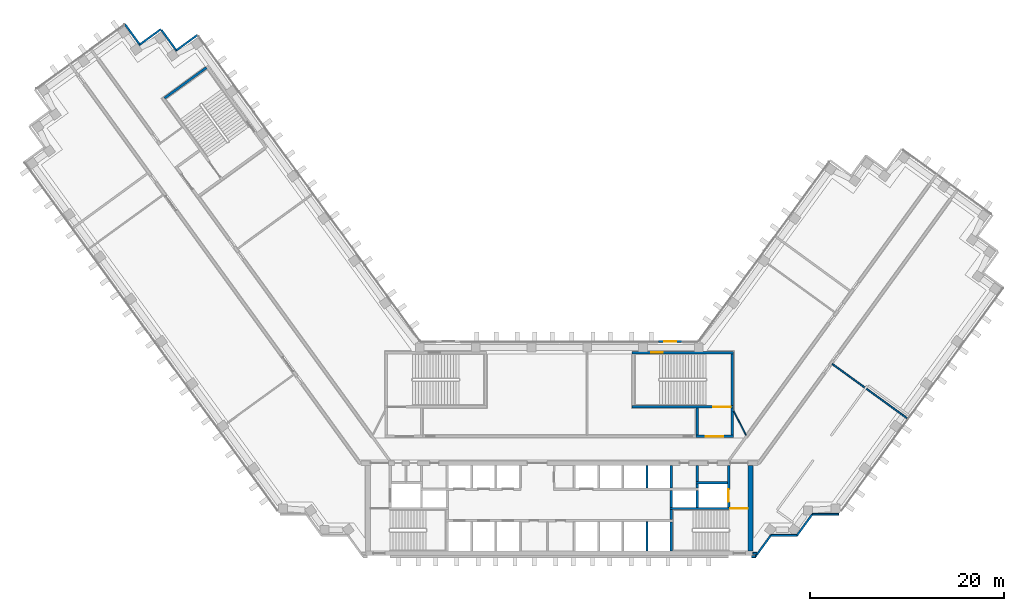
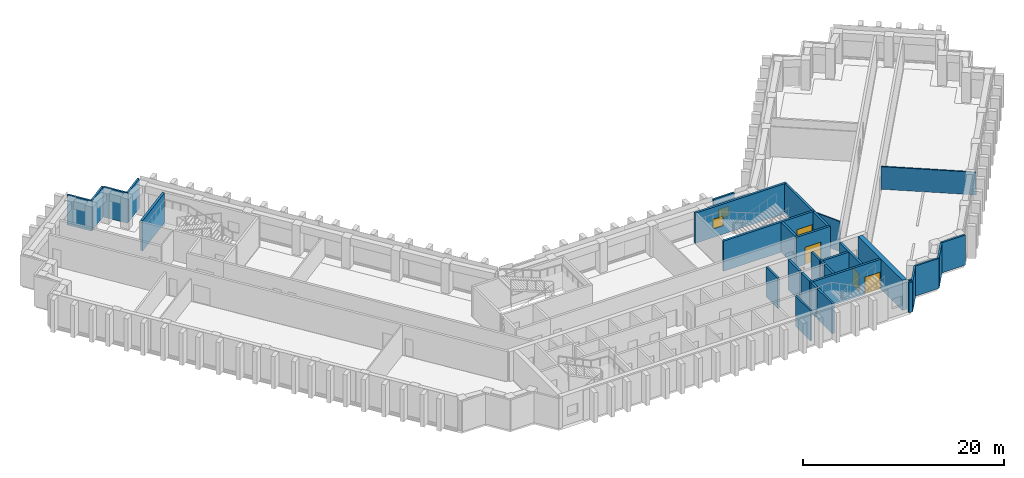
# One storey, part 8 of 12: 33 walls, 4 doors, 2 windows, 6 openings.
"""IFC4 building model written with IfcOpenShell, lengths in metres."""

from ifc_helpers import new_model, si_unit, direction, frame, frame_2d, origin, place, context, subcontext, project, spatial, rectangle, extrude, material, layer, layer_set, type_object, element, fill, save


model = new_model("IFC4")

# Units and contexts
model_context = context("Model", 3, precision=1e-05, world=origin(), true_north=direction((0.0, 1.0)))
body_context = subcontext(model_context, "Body", "Model", "MODEL_VIEW")
ifc_project = project(units=[si_unit("LENGTHUNIT", "METRE"), si_unit("AREAUNIT", "SQUARE_METRE"), si_unit("VOLUMEUNIT", "CUBIC_METRE"), si_unit("PLANEANGLEUNIT", "RADIAN"), si_unit("MASSUNIT", "GRAM", prefix="KILO")], contexts=[model_context])

# Site, building, storey
site_placement = place(None, origin())
site = spatial("IfcSite", under=ifc_project, at=site_placement, CompositionType="ELEMENT")
building_placement = place(site_placement, origin())
building = spatial("IfcBuilding", under=site, at=building_placement, Name="Quipu Civic Tower", CompositionType="ELEMENT")
storey_placement = place(building_placement, frame((0.0, 0.0, 109.0)))
storey = spatial("IfcBuildingStorey", under=building, at=storey_placement, Name="L25", CompositionType="ELEMENT", Elevation=109.0)

# Walls
ifc_material_1 = material(Name="Double gypsum plasterboard with mineral wool")
ifc_layer_1 = layer(ifc_material_1, 0.14990234375)
ifc_layer_set_1 = layer_set([ifc_layer_1], Name="Double gypsum plasterboard with mineral wool")
wall_type_1 = type_object("IfcWallType", Name="Acoustic partition 150 plasterboard", PredefinedType="PARTITIONING", material=ifc_layer_set_1)
wall_1_placement = place(storey_placement, frame((35.908935546875, 3.1826171875, 0.0), z_axis=(0.0, 0.0, 1.0), x_axis=(-0.809045492695, 0.587746025721, 0.0)))
element("IfcWall", 1, at=wall_1_placement, inside=storey, type_object=wall_type_1, Name="Partition P02", PredefinedType="PARTITIONING", context=body_context, shape_type="SweptSolid", body=[
    extrude(rectangle(XDim=9.550537109375, YDim=0.14990234375, at=frame_2d((4.775390625, 0.0))), origin(), (0.0, 0.0, 1.0), 2.75),
])
ifc_material_2 = material(Name="Concrete C70/85", Category="concrete")
ifc_layer_2 = layer(ifc_material_2, 0.25)
ifc_layer_set_2 = layer_set([ifc_layer_2], Name="Concrete C70/85")
wall_type_2 = type_object("IfcWallType", Name="Core wall 250", PredefinedType="SHEAR", material=ifc_layer_set_2)
wall_2_placement = place(storey_placement, frame((11.574951171875, -10.5, 0.0), z_axis=(0.0, 0.0, 1.0), x_axis=(0.0, 1.0, 0.0)))
element("IfcWall", 2, at=wall_2_placement, inside=storey, type_object=wall_type_2, Name="Core wall", PredefinedType="SHEAR", context=body_context, shape_type="SweptSolid", body=[
    extrude(rectangle(XDim=3.0, YDim=0.25, at=frame_2d((1.5, 0.0))), origin(), (0.0, 0.0, 1.0), 3.64990234375),
])
wall_3_placement = place(storey_placement, frame((11.574951171875, -7.25, 0.0), z_axis=(0.0, 0.0, 1.0), x_axis=(0.0, 1.0, 0.0)))
element("IfcWall", 3, at=wall_3_placement, inside=storey, type_object=wall_type_2, Name="Core wall", PredefinedType="SHEAR", context=body_context, shape_type="SweptSolid", body=[
    extrude(rectangle(XDim=1.0, YDim=0.25, at=frame_2d((0.5, 0.0))), origin(), (0.0, 0.0, 1.0), 3.64990234375),
])

# Wall, opening, door
wall_4_placement = place(storey_placement, frame((19.5, -6.125, 0.0), z_axis=(0.0, 0.0, 1.0), x_axis=(-1.0, 0.0, 0.0)))
wall_4 = element("IfcWall", 4, at=wall_4_placement, inside=storey, type_object=wall_type_2, Name="Core wall", PredefinedType="SHEAR", context=body_context, shape_type="SweptSolid", body=[
    extrude(rectangle(XDim=8.050048828125, YDim=0.25, at=frame_2d((4.02490234375, 0.0))), origin(), (0.0, 0.0, 1.0), 3.64990234375),
])
opening_1_placement = place(wall_4_placement, frame((0.050048828125, 0.0, 0.0)))
opening_1 = element("IfcOpeningElement", 5, at=opening_1_placement, cuts=wall_4, Name="Opening CD-04", PredefinedType="OPENING", context=body_context, shape_type="SweptSolid", body=[
    extrude(rectangle(XDim=1.800048828125, YDim=2.10009765625, at=frame_2d((0.89990234375, 1.050048828125))), frame((0.0, 0.135009765625, 0.0), z_axis=(0.0, -1.0, 0.0), x_axis=(1.0, 0.0, 0.0)), (0.0, 0.0, 1.0), 0.27001953125),
])
ifc_material_3 = material(Name="Fire rated steel door", Category="steel")
door_type_1 = type_object("IfcDoorType", Name="Fire door FD90 double 1800 x 2100", OperationType="NOTDEFINED", PredefinedType="DOOR", material=ifc_material_3)
door_1_placement = place(opening_1_placement, origin())
door_1 = element("IfcDoor", 6, at=door_1_placement, inside=storey, type_object=door_type_1, Name="Door", OperationType="DOUBLE_DOOR_SINGLE_SWING", OverallHeight=2.10009765625, OverallWidth=1.800048828125, PredefinedType="DOOR", context=body_context, shape_type="SweptSolid", body=[
    extrude(rectangle(XDim=1.800048828125, YDim=2.10009765625, at=frame_2d((0.89990234375, 1.050048828125))), frame((0.0, 0.02490234375, 0.0), z_axis=(0.0, -1.0, 0.0), x_axis=(1.0, 0.0, 0.0)), (0.0, 0.0, 1.0), 0.050048828125),
])
fill(opening_1, door_1)

# Walls
for number, where, z_axis, x_axis, name in (
    (7, (11.574951171875, -6.0, 0.0), (0.0, 0.0, 1.0), (0.0, 1.0, 0.0), "Core wall"),
    (8, (14.22509765625, -6.0, 0.0), (0.0, 0.0, 1.0), (0.0, 1.0, 0.0), "Core wall"),
):
    element("IfcWall", number, at=place(storey_placement, frame(where, z_axis=z_axis, x_axis=x_axis)), inside=storey, type_object=wall_type_2, Name=name, PredefinedType="SHEAR", context=body_context, shape_type="SweptSolid", body=[
        extrude(rectangle(XDim=1.75, YDim=0.25, at=frame_2d((0.875, 0.0))), origin(), (0.0, 0.0, 1.0), 3.64990234375),
    ])

# Wall, opening, door
wall_5_placement = place(storey_placement, frame((17.47509765625, -6.0, 0.0), z_axis=(0.0, 0.0, 1.0), x_axis=(0.0, 1.0, 0.0)))
wall_5 = element("IfcWall", 9, at=wall_5_placement, inside=storey, type_object=wall_type_2, Name="Core wall", PredefinedType="SHEAR", context=body_context, shape_type="SweptSolid", body=[
    extrude(rectangle(XDim=4.300048828125, YDim=0.25, at=frame_2d((2.14990234375, 0.0))), origin(), (0.0, 0.0, 1.0), 3.64990234375),
])
opening_2_placement = place(wall_5_placement, frame((0.550048828125, 0.0, 0.0)))
opening_2 = element("IfcOpeningElement", 10, at=opening_2_placement, cuts=wall_5, Name="Opening LD-FF2", PredefinedType="OPENING", context=body_context, shape_type="SweptSolid", body=[
    extrude(rectangle(XDim=1.300048828125, YDim=2.10009765625, at=frame_2d((0.64990234375, 1.050048828125))), frame((0.0, 0.135009765625, 0.0), z_axis=(0.0, -1.0, 0.0), x_axis=(1.0, 0.0, 0.0)), (0.0, 0.0, 1.0), 0.27001953125),
])
ifc_material_4 = material(Name="Stainless steel", Category="steel")
door_type_2 = type_object("IfcDoorType", Name="Lift landing door 1300 x 2100", OperationType="DOUBLE_DOOR_SLIDING", PredefinedType="DOOR", material=ifc_material_4)
door_2_placement = place(opening_2_placement, origin())
door_2 = element("IfcDoor", 11, at=door_2_placement, inside=storey, type_object=door_type_2, Name="Landing door FF2", OperationType="DOUBLE_DOOR_SLIDING", OverallHeight=2.10009765625, OverallWidth=1.300048828125, PredefinedType="DOOR", context=body_context, shape_type="SweptSolid", body=[
    extrude(rectangle(XDim=1.300048828125, YDim=2.10009765625, at=frame_2d((0.64990234375, 1.050048828125))), frame((0.0, 0.02490234375, 0.0), z_axis=(0.0, -1.0, 0.0), x_axis=(1.0, 0.0, 0.0)), (0.0, 0.0, 1.0), 0.050048828125),
])
fill(opening_2, door_2)

# Walls
wall_6_placement = place(storey_placement, frame((11.574951171875, -4.0, 0.0), z_axis=(0.0, 0.0, 1.0), x_axis=(0.0, 1.0, 0.0)))
element("IfcWall", 12, at=wall_6_placement, inside=storey, type_object=wall_type_2, Name="Core wall", PredefinedType="SHEAR", context=body_context, shape_type="SweptSolid", body=[
    extrude(rectangle(XDim=2.300048828125, YDim=0.25, at=frame_2d((1.14990234375, 0.0))), origin(), (0.0, 0.0, 1.0), 3.64990234375),
])
wall_7_placement = place(storey_placement, frame((14.22509765625, -4.0, 0.0), z_axis=(0.0, 0.0, 1.0), x_axis=(0.0, 1.0, 0.0)))
element("IfcWall", 13, at=wall_7_placement, inside=storey, type_object=wall_type_2, Name="Core wall", PredefinedType="SHEAR", context=body_context, shape_type="SweptSolid", body=[
    extrude(rectangle(XDim=0.39990234375, YDim=0.25, at=frame_2d((0.199951171875, 0.0))), origin(), (0.0, 0.0, 1.0), 3.64990234375),
])
wall_8_placement = place(storey_placement, frame((14.10009765625, -3.47509765625, 0.0), z_axis=(0.0, 0.0, 1.0), x_axis=(1.0, 0.0, 0.0)))
element("IfcWall", 14, at=wall_8_placement, inside=storey, type_object=wall_type_2, Name="Core wall", PredefinedType="SHEAR", context=body_context, shape_type="SweptSolid", body=[
    extrude(rectangle(XDim=3.25, YDim=0.25, at=frame_2d((1.625, 0.0))), origin(), (0.0, 0.0, 1.0), 3.64990234375),
])
wall_9_placement = place(storey_placement, frame((14.22509765625, -3.35009765625, 0.0), z_axis=(0.0, 0.0, 1.0), x_axis=(0.0, 1.0, 0.0)))
element("IfcWall", 15, at=wall_9_placement, inside=storey, type_object=wall_type_2, Name="Core wall", PredefinedType="SHEAR", context=body_context, shape_type="SweptSolid", body=[
    extrude(rectangle(XDim=1.650146484375, YDim=0.25, at=frame_2d((0.8251953125, 0.0))), origin(), (0.0, 0.0, 1.0), 3.64990234375),
])

# Wall, opening, door
wall_10_placement = place(storey_placement, frame((14.10009765625, 1.324951171875, 0.0), z_axis=(0.0, 0.0, 1.0), x_axis=(1.0, 0.0, 0.0)))
wall_10 = element("IfcWall", 16, at=wall_10_placement, inside=storey, type_object=wall_type_2, Name="Core wall", PredefinedType="SHEAR", context=body_context, shape_type="SweptSolid", body=[
    extrude(rectangle(XDim=3.89990234375, YDim=0.25, at=frame_2d((1.949951171875, 0.0))), origin(), (0.0, 0.0, 1.0), 3.64990234375),
])
opening_3_placement = place(wall_10_placement, frame((1.0, 0.0, 0.0)))
opening_3 = element("IfcOpeningElement", 17, at=opening_3_placement, cuts=wall_10, Name="Opening CD-16", PredefinedType="OPENING", context=body_context, shape_type="SweptSolid", body=[
    extrude(rectangle(XDim=1.800048828125, YDim=2.10009765625, at=frame_2d((0.89990234375, 1.050048828125))), frame((0.0, 0.135009765625, 0.0), z_axis=(0.0, -1.0, 0.0), x_axis=(1.0, 0.0, 0.0)), (0.0, 0.0, 1.0), 0.27001953125),
])
door_3_placement = place(opening_3_placement, origin())
door_3 = element("IfcDoor", 18, at=door_3_placement, inside=storey, type_object=door_type_1, Name="Lobby door", OperationType="DOUBLE_DOOR_SINGLE_SWING", OverallHeight=2.10009765625, OverallWidth=1.800048828125, PredefinedType="DOOR", context=body_context, shape_type="SweptSolid", body=[
    extrude(rectangle(XDim=1.800048828125, YDim=2.10009765625, at=frame_2d((0.89990234375, 1.050048828125))), frame((0.0, 0.02490234375, 0.0), z_axis=(0.0, -1.0, 0.0), x_axis=(1.0, 0.0, 0.0)), (0.0, 0.0, 1.0), 0.050048828125),
])
fill(opening_3, door_3)

# Walls
for number, where, z_axis, x_axis, name in (
    (19, (14.22509765625, 1.449951171875, 0.0), (0.0, 0.0, 1.0), (0.0, 1.0, 0.0), "Core wall"),
    (20, (17.875, 1.449951171875, 0.0), (0.0, 0.0, 1.0), (0.0, 1.0, 0.0), "Core wall"),
):
    element("IfcWall", number, at=place(storey_placement, frame(where, z_axis=z_axis, x_axis=x_axis)), inside=storey, type_object=wall_type_2, Name=name, PredefinedType="SHEAR", context=body_context, shape_type="SweptSolid", body=[
        extrude(rectangle(XDim=2.800048828125, YDim=0.25, at=frame_2d((1.39990234375, 0.0))), origin(), (0.0, 0.0, 1.0), 3.64990234375),
    ])

# Wall, opening, door
wall_11_placement = place(storey_placement, frame((7.5, 4.375, 0.0), z_axis=(0.0, 0.0, 1.0), x_axis=(1.0, 0.0, 0.0)))
wall_11 = element("IfcWall", 21, at=wall_11_placement, inside=storey, type_object=wall_type_2, Name="Core wall", PredefinedType="SHEAR", context=body_context, shape_type="SweptSolid", body=[
    extrude(rectangle(XDim=10.5, YDim=0.25, at=frame_2d((5.25, 0.0))), origin(), (0.0, 0.0, 1.0), 3.64990234375),
])
opening_4_placement = place(wall_11_placement, frame((8.39990234375, 0.0, 0.0)))
opening_4 = element("IfcOpeningElement", 22, at=opening_4_placement, cuts=wall_11, Name="Opening CD-17", PredefinedType="OPENING", context=body_context, shape_type="SweptSolid", body=[
    extrude(rectangle(XDim=1.800048828125, YDim=2.10009765625, at=frame_2d((0.89990234375, 1.050048828125))), frame((0.0, 0.135009765625, 0.0), z_axis=(0.0, -1.0, 0.0), x_axis=(1.0, 0.0, 0.0)), (0.0, 0.0, 1.0), 0.27001953125),
])
door_4_placement = place(opening_4_placement, origin())
door_4 = element("IfcDoor", 23, at=door_4_placement, inside=storey, type_object=door_type_1, Name="Door", OperationType="DOUBLE_DOOR_SINGLE_SWING", OverallHeight=2.10009765625, OverallWidth=1.800048828125, PredefinedType="DOOR", context=body_context, shape_type="SweptSolid", body=[
    extrude(rectangle(XDim=1.800048828125, YDim=2.10009765625, at=frame_2d((0.89990234375, 1.050048828125))), frame((0.0, 0.02490234375, 0.0), z_axis=(0.0, -1.0, 0.0), x_axis=(1.0, 0.0, 0.0)), (0.0, 0.0, 1.0), 0.050048828125),
])
fill(opening_4, door_4)

# Wall
wall_12_placement = place(storey_placement, frame((17.875, 4.5, 0.0), z_axis=(0.0, 0.0, 1.0), x_axis=(0.0, 1.0, 0.0)))
element("IfcWall", 24, at=wall_12_placement, inside=storey, type_object=wall_type_2, Name="Core wall", PredefinedType="SHEAR", context=body_context, shape_type="SweptSolid", body=[
    extrude(rectangle(XDim=5.35009765625, YDim=0.25, at=frame_2d((2.675048828125, 0.0))), origin(), (0.0, 0.0, 1.0), 3.64990234375),
])

# Wall, opening, window
wall_13_placement = place(storey_placement, frame((7.5, 9.97509765625, 0.0), z_axis=(0.0, 0.0, 1.0), x_axis=(1.0, 0.0, 0.0)))
wall_13 = element("IfcWall", 25, at=wall_13_placement, inside=storey, type_object=wall_type_2, Name="Core wall", PredefinedType="SHEAR", context=body_context, shape_type="SweptSolid", body=[
    extrude(rectangle(XDim=10.5, YDim=0.25, at=frame_2d((5.25, 0.0))), origin(), (0.0, 0.0, 1.0), 3.64990234375),
])
opening_5_placement = place(wall_13_placement, frame((2.0, 0.0, 1.0)))
opening_5 = element("IfcOpeningElement", 26, at=opening_5_placement, cuts=wall_13, Name="Opening SV-4", PredefinedType="OPENING", context=body_context, shape_type="SweptSolid", body=[
    extrude(rectangle(XDim=1.199951171875, YDim=1.199951171875, at=frame_2d((0.60009765625, 0.60009765625))), frame((0.0, 0.135009765625, 0.0), z_axis=(0.0, -1.0, 0.0), x_axis=(1.0, 0.0, 0.0)), (0.0, 0.0, 1.0), 0.27001953125),
])
ifc_material_5 = material(Name="Aluminium louvre", Category="aluminium")
window_type_1 = type_object("IfcWindowType", Name="Stair ventilation louvre 1200 x 1200", PartitioningType="SINGLE_PANEL", PredefinedType="WINDOW", material=ifc_material_5)
window_1_placement = place(opening_5_placement, origin())
window_1 = element("IfcWindow", 27, at=window_1_placement, inside=storey, type_object=window_type_1, Name="Stair ventilation opening", OverallHeight=1.199951171875, OverallWidth=1.199951171875, PartitioningType="SINGLE_PANEL", PredefinedType="WINDOW", context=body_context, shape_type="SweptSolid", body=[
    extrude(rectangle(XDim=1.199951171875, YDim=1.199951171875, at=frame_2d((0.60009765625, 0.60009765625))), frame((0.0, 0.030029296875, 0.0), z_axis=(0.0, -1.0, 0.0), x_axis=(1.0, 0.0, 0.0)), (0.0, 0.0, 1.0), 0.06005859375),
])
fill(opening_5, window_1)

# Walls
wall_14_placement = place(storey_placement, frame((-36.43896484375, 39.384033203125, 0.0), z_axis=(0.0, 0.0, 1.0), x_axis=(-0.809020161303, -0.587780893365, 0.0)))
element("IfcWall", 28, at=wall_14_placement, inside=storey, type_object=wall_type_2, Name="Core wall", PredefinedType="SHEAR", context=body_context, shape_type="SweptSolid", body=[
    extrude(rectangle(XDim=5.349853515625, YDim=0.25, at=frame_2d((2.6748046875, 0.0))), origin(), (0.0, 0.0, 1.0), 3.64990234375),
])
ifc_material_6 = material(Name="Concrete C70/85", Category="concrete")
ifc_layer_3 = layer(ifc_material_6, 0.5)
ifc_layer_set_3 = layer_set([ifc_layer_3], Name="Concrete C70/85")
wall_type_3 = type_object("IfcWallType", Name="Core wall 500", PredefinedType="SHEAR", material=ifc_layer_set_3)
wall_15_placement = place(storey_placement, frame((19.75, -10.5, 0.0), z_axis=(0.0, 0.0, 1.0), x_axis=(0.0, 1.0, 0.0)))
element("IfcWall", 29, at=wall_15_placement, inside=storey, type_object=wall_type_3, Name="Core wall", PredefinedType="SHEAR", context=body_context, shape_type="SweptSolid", body=[
    extrude(rectangle(XDim=8.800048828125, YDim=0.5, at=frame_2d((4.39990234375, 0.0))), origin(), (0.0, 0.0, 1.0), 3.64990234375),
])
ifc_material_7 = material(Name="Gypsum plasterboard on light gauge framing")
ifc_layer_4 = layer(ifc_material_7, 0.1201171875)
ifc_layer_set_4 = layer_set([ifc_layer_4], Name="Gypsum plasterboard on light gauge framing")
wall_type_4 = type_object("IfcWallType", Name="Partition 120 plasterboard", PredefinedType="PARTITIONING", material=ifc_layer_set_4)
wall_16_placement = place(storey_placement, frame((18.0, 3.925048828125, 0.0), z_axis=(0.0, 0.0, 1.0), x_axis=(0.453950796792, -0.891026752736, 0.0)))
element("IfcWall", 30, at=wall_16_placement, inside=storey, type_object=wall_type_4, Name="Partition P09", PredefinedType="PARTITIONING", context=body_context, shape_type="SweptSolid", body=[
    extrude(rectangle(XDim=2.77783203125, YDim=0.1201171875, at=frame_2d((1.388916015625, 0.0))), origin(), (0.0, 0.0, 1.0), 3.64990234375),
])
ifc_material_8 = material(Name="Precast concrete C40/50", Category="concrete")
wall_type_5 = type_object("IfcWallType", Name="Precast cladding wall", PredefinedType="SOLIDWALL", material=ifc_material_8)
wall_17_placement = place(storey_placement, frame((-37.352783203125, 42.768310546875, 0.0), z_axis=(0.0, 0.0, 1.0), x_axis=(-0.809033161865, -0.587762999008, 0.0)))
element("IfcWall", 31, at=wall_17_placement, inside=storey, type_object=wall_type_5, Name="Precast cladding wall L25 2", PredefinedType="SOLIDWALL", context=body_context, shape_type="SweptSolid", body=[
    extrude(rectangle(XDim=2.699951171875, YDim=0.199951171875, at=frame_2d((1.35009765625, 0.0))), origin(), (0.0, 0.0, 1.0), 3.64990234375),
])
wall_18_placement = place(storey_placement, frame((-39.488037109375, 41.093505859375, 0.0), z_axis=(0.0, 0.0, 1.0), x_axis=(-0.587806000234, 0.809001919707, 0.0)))
element("IfcWall", 32, at=wall_18_placement, inside=storey, type_object=wall_type_5, Name="Precast cladding wall L25 3", PredefinedType="SOLIDWALL", context=body_context, shape_type="SweptSolid", body=[
    extrude(rectangle(XDim=2.69970703125, YDim=0.199951171875, at=frame_2d((1.349853515625, 0.0))), origin(), (0.0, 0.0, 1.0), 3.64990234375),
])
for number, where, z_axis, x_axis, name in (
    (33, (-41.1240234375, 43.36572265625, 0.0), (0.0, 0.0, 1.0), (-0.809033161865, -0.587762999008, 0.0), "Precast cladding wall L25 4"),
    (34, (-43.25927734375, 41.690673828125, 0.0), (0.0, 0.0, 1.0), (-0.587822180636, 0.808990163075, 0.0), "Precast cladding wall L25 5"),
):
    element("IfcWall", number, at=place(storey_placement, frame(where, z_axis=z_axis, x_axis=x_axis)), inside=storey, type_object=wall_type_5, Name=name, PredefinedType="SOLIDWALL", context=body_context, shape_type="SweptSolid", body=[
        extrude(rectangle(XDim=2.699951171875, YDim=0.199951171875, at=frame_2d((1.35009765625, 0.0))), origin(), (0.0, 0.0, 1.0), 3.64990234375),
    ])
wall_19_placement = place(storey_placement, frame((19.85009765625, -11.087890625, 0.0), z_axis=(0.0, 0.0, 1.0), x_axis=(1.0, 0.0, 0.0)))
element("IfcWall", 35, at=wall_19_placement, inside=storey, type_object=wall_type_5, Name="Precast cladding wall L25 18", PredefinedType="SOLIDWALL", context=body_context, shape_type="SweptSolid", body=[
    extrude(rectangle(XDim=0.40576171875, YDim=0.199951171875, at=frame_2d((0.202880859375, 0.0))), origin(), (0.0, 0.0, 1.0), 3.64990234375),
])
wall_20_placement = place(storey_placement, frame((20.253173828125, -11.083251953125, 0.0), z_axis=(0.0, 0.0, 1.0), x_axis=(0.587766567315, 0.809030569476, 0.0)))
element("IfcWall", 36, at=wall_20_placement, inside=storey, type_object=wall_type_5, Name="Precast cladding wall L25 19", PredefinedType="SOLIDWALL", context=body_context, shape_type="SweptSolid", body=[
    extrude(rectangle(XDim=2.687744140625, YDim=0.199951171875, at=frame_2d((1.34375, 0.0))), origin(), (0.0, 0.0, 1.0), 3.64990234375),
])
wall_21_placement = place(storey_placement, frame((21.8427734375, -8.90380859375, 0.0), z_axis=(0.0, 0.0, 1.0), x_axis=(1.0, 0.0, 0.0)))
element("IfcWall", 37, at=wall_21_placement, inside=storey, type_object=wall_type_5, Name="Precast cladding wall L25 20", PredefinedType="SOLIDWALL", context=body_context, shape_type="SweptSolid", body=[
    extrude(rectangle(XDim=2.699951171875, YDim=0.199951171875, at=frame_2d((1.35009765625, 0.0))), origin(), (0.0, 0.0, 1.0), 3.64990234375),
])
wall_22_placement = place(storey_placement, frame((24.533203125, -8.90869140625, 0.0), z_axis=(0.0, 0.0, 1.0), x_axis=(0.587720002413, 0.809064397168, 0.0)))
element("IfcWall", 38, at=wall_22_placement, inside=storey, type_object=wall_type_5, Name="Precast cladding wall L25 21", PredefinedType="SOLIDWALL", context=body_context, shape_type="SweptSolid", body=[
    extrude(rectangle(XDim=2.7001953125, YDim=0.199951171875, at=frame_2d((1.35009765625, 0.0))), origin(), (0.0, 0.0, 1.0), 3.64990234375),
])
wall_23_placement = place(storey_placement, frame((26.1298828125, -6.71923828125, 0.0), z_axis=(0.0, 0.0, 1.0), x_axis=(1.0, 0.0, 0.0)))
element("IfcWall", 39, at=wall_23_placement, inside=storey, type_object=wall_type_5, Name="Precast cladding wall L25 22", PredefinedType="SOLIDWALL", context=body_context, shape_type="SweptSolid", body=[
    extrude(rectangle(XDim=2.699951171875, YDim=0.199951171875, at=frame_2d((1.35009765625, 0.0))), origin(), (0.0, 0.0, 1.0), 3.64990234375),
])

# Wall, opening, window
wall_24_placement = place(storey_placement, frame((12.655029296875, 11.10009765625, 0.0), z_axis=(0.0, 0.0, 1.0), x_axis=(-1.0, 0.0, 0.0)))
wall_24 = element("IfcWall", 40, at=wall_24_placement, inside=storey, type_object=wall_type_5, Name="Vent surround SF-L25-2", PredefinedType="SOLIDWALL", context=body_context, shape_type="SweptSolid", body=[
    extrude(rectangle(XDim=2.3916015625, YDim=0.199951171875, at=frame_2d((1.19580078125, 0.0))), origin(), (0.0, 0.0, 1.0), 3.64990234375),
])
opening_6_placement = place(wall_24_placement, frame((0.595703125, 0.0, 1.0)))
opening_6 = element("IfcOpeningElement", 41, at=opening_6_placement, cuts=wall_24, Name="Opening SF-L25-2", PredefinedType="OPENING", context=body_context, shape_type="SweptSolid", body=[
    extrude(rectangle(XDim=1.199951171875, YDim=1.199951171875, at=frame_2d((0.60009765625, 0.60009765625))), frame((0.0, 0.10986328125, 0.0), z_axis=(0.0, -1.0, 0.0), x_axis=(1.0, 0.0, 0.0)), (0.0, 0.0, 1.0), 0.219970703125),
])
ifc_material_9 = material(Name="Anodised aluminium louvre", Category="aluminium")
window_type_2 = type_object("IfcWindowType", Name="Stair vent louvre window P3", PartitioningType="SINGLE_PANEL", PredefinedType="WINDOW", material=ifc_material_9)
window_2_placement = place(opening_6_placement, origin())
window_2 = element("IfcWindow", 42, at=window_2_placement, inside=storey, type_object=window_type_2, Name="Stair vent louvre SF-L25-2", OverallHeight=1.199951171875, OverallWidth=1.199951171875, PartitioningType="SINGLE_PANEL", PredefinedType="WINDOW", context=body_context, shape_type="SweptSolid", body=[
    extrude(rectangle(XDim=1.199951171875, YDim=1.199951171875, at=frame_2d((0.60009765625, 0.60009765625))), frame((0.0, 0.030029296875, 0.0), z_axis=(0.0, -1.0, 0.0), x_axis=(1.0, 0.0, 0.0)), (0.0, 0.0, 1.0), 0.06005859375),
])
fill(opening_6, window_2)

# Walls
wall_25_placement = place(storey_placement, frame((19.97998046875, -10.75, 0.0), z_axis=(0.0, 0.0, 1.0), x_axis=(1.0, 0.0, 0.0)))
element("IfcWall", 43, at=wall_25_placement, inside=storey, type_object=wall_type_5, Name="Precast cladding return L25 E", PredefinedType="SOLIDWALL", context=body_context, shape_type="SweptSolid", body=[
    extrude(rectangle(XDim=0.41650390625, YDim=0.199951171875, at=frame_2d((0.208251953125, 0.0))), origin(), (0.0, 0.0, 1.0), 3.64990234375),
])
ifc_material_10 = material(Name="Concrete C40/50", Category="concrete")
ifc_layer_5 = layer(ifc_material_10, 0.199951171875)
ifc_layer_set_5 = layer_set([ifc_layer_5], Name="Concrete C40/50")
wall_type_6 = type_object("IfcWallType", Name="Shaft wall 200", PredefinedType="SOLIDWALL", material=ifc_layer_set_5)
wall_26_placement = place(storey_placement, frame((9.050048828125, -10.5, 0.0), z_axis=(0.0, 0.0, 1.0), x_axis=(0.0, 1.0, 0.0)))
element("IfcWall", 44, at=wall_26_placement, inside=storey, type_object=wall_type_6, Name="Shaft wall", PredefinedType="SOLIDWALL", context=body_context, shape_type="SweptSolid", body=[
    extrude(rectangle(XDim=3.0, YDim=0.199951171875, at=frame_2d((1.5, 0.0))), origin(), (0.0, 0.0, 1.0), 3.64990234375),
])
wall_27_placement = place(storey_placement, frame((9.050048828125, -4.0, 0.0), z_axis=(0.0, 0.0, 1.0), x_axis=(0.0, 1.0, 0.0)))
element("IfcWall", 45, at=wall_27_placement, inside=storey, type_object=wall_type_6, Name="Shaft wall", PredefinedType="SOLIDWALL", context=body_context, shape_type="SweptSolid", body=[
    extrude(rectangle(XDim=2.300048828125, YDim=0.199951171875, at=frame_2d((1.14990234375, 0.0))), origin(), (0.0, 0.0, 1.0), 3.64990234375),
])

save(model, "model.ifc")
